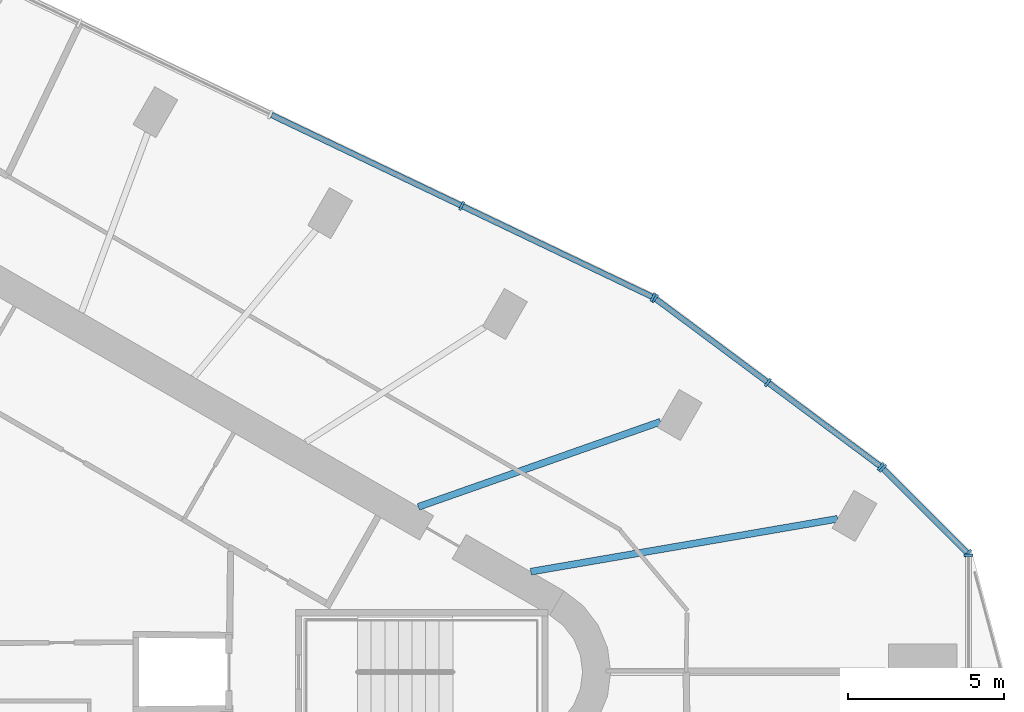
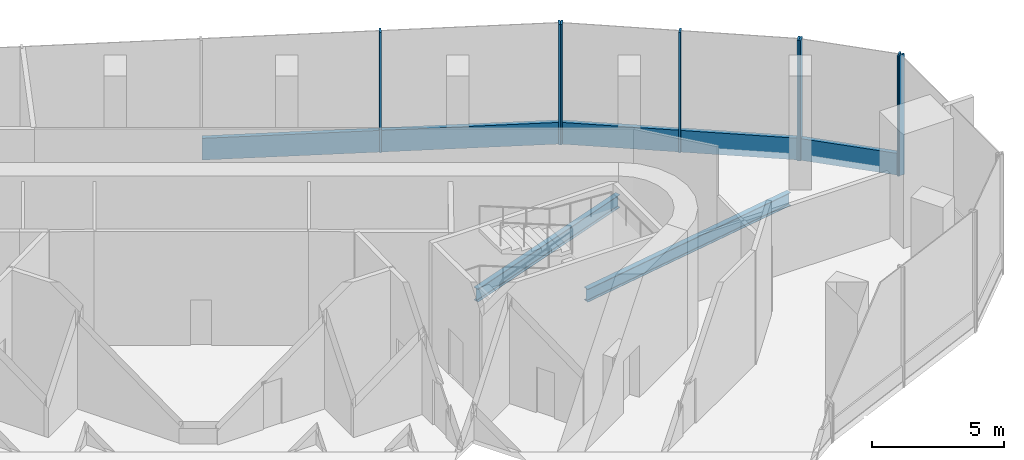
# One storey, part 5 of 13: 13 members, 2 beams, 4 elements without a shape of their own.
"""IFC4 building model written with IfcOpenShell, lengths in metres."""

from ifc_helpers import new_model, si_unit, direction, frame, origin, origin_2d, place, context, subcontext, project, spatial, rectangle, i_section, extrude, material, material_profile, profile_set, type_object, element, aggregate, save


model = new_model("IFC4")

# Units and contexts
model_context = context("Model", 3, precision=1e-05, world=origin(), true_north=direction((0.0, 1.0)))
body_context = subcontext(model_context, "Body", "Model", "MODEL_VIEW")
ifc_project = project(units=[si_unit("LENGTHUNIT", "METRE"), si_unit("AREAUNIT", "SQUARE_METRE"), si_unit("VOLUMEUNIT", "CUBIC_METRE"), si_unit("PLANEANGLEUNIT", "RADIAN"), si_unit("MASSUNIT", "GRAM", prefix="KILO")], contexts=[model_context])

# Site, building, storey
site_placement = place(None, origin())
site = spatial("IfcSite", under=ifc_project, at=site_placement, CompositionType="ELEMENT")
building_placement = place(site_placement, origin())
building = spatial("IfcBuilding", under=site, at=building_placement, Name="Tanit Gate Tower", CompositionType="ELEMENT")
storey_placement = place(building_placement, frame((0.0, 0.0, 404.800048828125)))
storey = spatial("IfcBuildingStorey", under=building, at=storey_placement, Name="L92", CompositionType="ELEMENT", Elevation=404.800048828125)

# Curtain wall, members
ifc_material_1 = material(Name="Aluminium bronze anodised and glass", Category="aluminium")
curtain_wall_type = type_object("IfcCurtainWallType", Name="Curtain wall observation", PredefinedType="NOTDEFINED", material=ifc_material_1)
curtain_wall_1_placement = place(storey_placement, origin())
curtain_wall_1 = element("IfcCurtainWall", 1, at=curtain_wall_1_placement, inside=storey, type_object=curtain_wall_type, Name="Curtain wall L92 NE1", PredefinedType="NOTDEFINED")
ifc_material_2 = material(Name="Aluminium bronze anodised", Category="aluminium")
ifc_material_profile_1 = material_profile(ifc_material_2, rectangle(XDim=0.300048828125, YDim=0.080078125, at=origin_2d()), Name="80x300 bronze mullion")
ifc_profile_set_1 = profile_set([ifc_material_profile_1], Name="Aluminium bronze anodised")
member_type_1 = type_object("IfcMemberType", Name="Mullion 80x300 observation", PredefinedType="MULLION", material=ifc_profile_set_1)
member_1_placement = place(storey_placement, frame((29.848876953125, 6.5771484375, -0.300048828125), z_axis=(0.0, 0.0, 1.0), x_axis=(-0.59734052401, -0.801987717098, 0.0)))
member_1 = element("IfcMember", 2, at=member_1_placement, type_object=member_type_1, Name="Mullion L92 NE1.1", PredefinedType="MULLION", context=body_context, shape_type="SweptSolid", body=[
    extrude(rectangle(XDim=0.300048828125, YDim=0.080078125, at=origin_2d()), origin(), (0.0, 0.0, 1.0), 5.550048828125),
])
member_2_placement = place(storey_placement, frame((26.235595703125, 9.2685546875, -0.300048828125), z_axis=(0.0, 0.0, 1.0), x_axis=(-0.59734052401, -0.801987717098, 0.0)))
member_2 = element("IfcMember", 3, at=member_2_placement, type_object=member_type_1, Name="Mullion L92 NE1.2", PredefinedType="MULLION", context=body_context, shape_type="SweptSolid", body=[
    extrude(rectangle(XDim=0.300048828125, YDim=0.080078125, at=origin_2d()), origin(), (0.0, 0.0, 1.0), 5.550048828125),
])
member_3_placement = place(storey_placement, frame((22.622314453125, 11.959716796875, -0.300048828125), z_axis=(0.0, 0.0, 1.0), x_axis=(-0.59734052401, -0.801987717098, 0.0)))
member_3 = element("IfcMember", 4, at=member_3_placement, type_object=member_type_1, Name="Mullion L92 NE1.3", PredefinedType="MULLION", context=body_context, shape_type="SweptSolid", body=[
    extrude(rectangle(XDim=0.300048828125, YDim=0.080078125, at=origin_2d()), origin(), (0.0, 0.0, 1.0), 5.550048828125),
])

curtain_wall_2_placement = place(storey_placement, origin())
curtain_wall_2 = element("IfcCurtainWall", 5, at=curtain_wall_2_placement, inside=storey, type_object=curtain_wall_type, Name="Curtain wall L92 NE2", PredefinedType="NOTDEFINED")
member_4_placement = place(storey_placement, frame((22.55419921875, 12.0009765625, -0.300048828125), z_axis=(0.0, 0.0, 1.0), x_axis=(-0.431072811819, -0.902317145415, 0.0)))
member_4 = element("IfcMember", 6, at=member_4_placement, type_object=member_type_1, Name="Mullion L92 NE2.1", PredefinedType="MULLION", context=body_context, shape_type="SweptSolid", body=[
    extrude(rectangle(XDim=0.300048828125, YDim=0.080078125, at=origin_2d()), origin(), (0.0, 0.0, 1.0), 5.550048828125),
])
member_5_placement = place(storey_placement, frame((16.429443359375, 14.927001953125, -0.300048828125), z_axis=(0.0, 0.0, 1.0), x_axis=(-0.431072811819, -0.902317145415, 0.0)))
member_5 = element("IfcMember", 7, at=member_5_placement, type_object=member_type_1, Name="Mullion L92 NE2.2", PredefinedType="MULLION", context=body_context, shape_type="SweptSolid", body=[
    extrude(rectangle(XDim=0.300048828125, YDim=0.080078125, at=origin_2d()), origin(), (0.0, 0.0, 1.0), 5.550048828125),
])

# Curtain wall, member
curtain_wall_3_placement = place(storey_placement, origin())
curtain_wall_3 = element("IfcCurtainWall", 8, at=curtain_wall_3_placement, inside=storey, type_object=curtain_wall_type, Name="Curtain wall L92 E.arc2", PredefinedType="NOTDEFINED")
member_6_placement = place(storey_placement, frame((32.66015625, 3.73388671875, -0.300048828125), z_axis=(0.0, 0.0, 1.0), x_axis=(-1.0, 0.0, 0.0)))
member_6 = element("IfcMember", 9, at=member_6_placement, type_object=member_type_1, Name="Mullion L92 E.arc2.2", PredefinedType="MULLION", context=body_context, shape_type="SweptSolid", body=[
    extrude(rectangle(XDim=0.300048828125, YDim=0.080078125, at=origin_2d()), origin(), (0.0, 0.0, 1.0), 5.550048828125),
])
aggregate(curtain_wall_3, [member_6])

# Curtain wall, members
curtain_wall_4_placement = place(storey_placement, origin())
curtain_wall_4 = element("IfcCurtainWall", 10, at=curtain_wall_4_placement, inside=storey, type_object=curtain_wall_type, Name="Curtain wall L92 E.arc3", PredefinedType="NOTDEFINED")
member_7_placement = place(storey_placement, frame((32.632080078125, 3.80224609375, -0.300048828125), z_axis=(0.0, 0.0, 1.0), x_axis=(-0.707106781187, -0.707106781187, 0.0)))
member_7 = element("IfcMember", 11, at=member_7_placement, type_object=member_type_1, Name="Mullion L92 E.arc3.1", PredefinedType="MULLION", context=body_context, shape_type="SweptSolid", body=[
    extrude(rectangle(XDim=0.300048828125, YDim=0.080078125, at=origin_2d()), origin(), (0.0, 0.0, 1.0), 5.550048828125),
])
member_8_placement = place(storey_placement, frame((29.9091796875, 6.52490234375, -0.300048828125), z_axis=(0.0, 0.0, 1.0), x_axis=(-0.707106781187, -0.707106781187, 0.0)))
member_8 = element("IfcMember", 12, at=member_8_placement, type_object=member_type_1, Name="Mullion L92 E.arc3.2", PredefinedType="MULLION", context=body_context, shape_type="SweptSolid", body=[
    extrude(rectangle(XDim=0.300048828125, YDim=0.080078125, at=origin_2d()), origin(), (0.0, 0.0, 1.0), 5.550048828125),
])

# Beams
ifc_material_3 = material(Name="Steel S355", Category="steel")
ifc_material_profile_2 = material_profile(ifc_material_3, i_section(OverallWidth=0.219970703125, OverallDepth=0.60009765625, WebThickness=0.011962890625, FlangeThickness=0.01904296875, FilletRadius=0.02392578125, at=origin_2d()), Name="IPE 600")
ifc_profile_set_2 = profile_set([ifc_material_profile_2], Name="Steel S355")
beam_type = type_object("IfcBeamType", Name="RADIAL GIRDER IPE 600 S355", PredefinedType="BEAM", material=ifc_profile_set_2)
beam_1_placement = place(storey_placement, frame((28.464599609375, 4.905029296875, -0.60009765625), z_axis=(-0.985476230571, -0.169813424025, 0.0), x_axis=(0.169813424025, -0.985476230571, 0.0)))
element("IfcBeam", 13, at=beam_1_placement, inside=storey, type_object=beam_type, Name="RADIAL GIRDER", PredefinedType="BEAM", context=body_context, shape_type="SweptSolid", body=[
    extrude(i_section(OverallWidth=0.219970703125, OverallDepth=0.60009765625, WebThickness=0.011962890625, FlangeThickness=0.01904296875, FilletRadius=0.02392578125, at=origin_2d()), origin(), (0.0, 0.0, 1.0), 9.968994140625),
])
beam_2_placement = place(storey_placement, frame((22.7958984375, 8.014404296875, -0.60009765625), z_axis=(-0.943393322565, -0.331676105471, 0.0), x_axis=(0.331676105471, -0.943393322565, 0.0)))
element("IfcBeam", 14, at=beam_2_placement, inside=storey, type_object=beam_type, Name="RADIAL GIRDER", PredefinedType="BEAM", context=body_context, shape_type="SweptSolid", body=[
    extrude(i_section(OverallWidth=0.219970703125, OverallDepth=0.60009765625, WebThickness=0.011962890625, FlangeThickness=0.01904296875, FilletRadius=0.02392578125, at=origin_2d()), origin(), (0.0, 0.0, 1.0), 8.217529296875),
])

# Member
ifc_material_4 = material(Name="Aluminium bronze anodised", Category="aluminium")
ifc_material_profile_3 = material_profile(ifc_material_4, rectangle(XDim=0.179931640625, YDim=1.0, at=origin_2d()), Name="180x1000 bronze transom")
ifc_profile_set_3 = profile_set([ifc_material_profile_3], Name="Aluminium bronze anodised")
member_type_2 = type_object("IfcMemberType", Name="Transom 180x1000 observation", PredefinedType="USERDEFINED", material=ifc_profile_set_3)
member_9_placement = place(storey_placement, frame((29.81689453125, 6.60107421875, 0.199951171875), z_axis=(-0.801994753638, 0.597331076654, 0.0), x_axis=(-0.597331076654, -0.801994753638, 0.0)))
member_9 = element("IfcMember", 15, at=member_9_placement, type_object=member_type_2, Name="Transom L92 NE1.1", ObjectType="TRANSOM", PredefinedType="USERDEFINED", context=body_context, shape_type="SweptSolid", body=[
    extrude(rectangle(XDim=0.179931640625, YDim=1.0, at=origin_2d()), origin(), (0.0, 0.0, 1.0), 4.425537109375),
])

member_10_placement = place(storey_placement, frame((26.20361328125, 9.292236328125, 0.199951171875), z_axis=(-0.801994753638, 0.597331076654, 0.0), x_axis=(-0.597331076654, -0.801994753638, 0.0)))
member_10 = element("IfcMember", 16, at=member_10_placement, type_object=member_type_2, Name="Transom L92 NE1.2", ObjectType="TRANSOM", PredefinedType="USERDEFINED", context=body_context, shape_type="SweptSolid", body=[
    extrude(rectangle(XDim=0.179931640625, YDim=1.0, at=origin_2d()), origin(), (0.0, 0.0, 1.0), 4.425537109375),
])

aggregate(curtain_wall_1, [member_1, member_2, member_3, member_9, member_10])

member_11_placement = place(storey_placement, frame((22.51806640625, 12.01806640625, 0.199951171875), z_axis=(-0.902312153024, 0.431083261685, 0.0), x_axis=(-0.431083261685, -0.902312153024, 0.0)))
member_11 = element("IfcMember", 17, at=member_11_placement, type_object=member_type_2, Name="Transom L92 NE2.1", ObjectType="TRANSOM", PredefinedType="USERDEFINED", context=body_context, shape_type="SweptSolid", body=[
    extrude(rectangle(XDim=0.179931640625, YDim=1.0, at=origin_2d()), origin(), (0.0, 0.0, 1.0), 6.707763671875),
])

member_12_placement = place(storey_placement, frame((16.393310546875, 14.944091796875, 0.199951171875), z_axis=(-0.902312153024, 0.431083261685, 0.0), x_axis=(-0.431083261685, -0.902312153024, 0.0)))
member_12 = element("IfcMember", 18, at=member_12_placement, type_object=member_type_2, Name="Transom L92 NE2.2", ObjectType="TRANSOM", PredefinedType="USERDEFINED", context=body_context, shape_type="SweptSolid", body=[
    extrude(rectangle(XDim=0.179931640625, YDim=1.0, at=origin_2d()), origin(), (0.0, 0.0, 1.0), 6.707763671875),
])

aggregate(curtain_wall_2, [member_4, member_5, member_11, member_12])

member_13_placement = place(storey_placement, frame((32.603759765625, 3.83056640625, 0.199951171875), z_axis=(-0.707106781187, 0.707106781187, 0.0), x_axis=(-0.707106781187, -0.707106781187, 0.0)))
member_13 = element("IfcMember", 19, at=member_13_placement, type_object=member_type_2, Name="Transom L92 E.arc3.1", ObjectType="TRANSOM", PredefinedType="USERDEFINED", context=body_context, shape_type="SweptSolid", body=[
    extrude(rectangle(XDim=0.179931640625, YDim=1.0, at=origin_2d()), origin(), (0.0, 0.0, 1.0), 3.770751953125),
])

aggregate(curtain_wall_4, [member_7, member_8, member_13])

save(model, "model.ifc")
